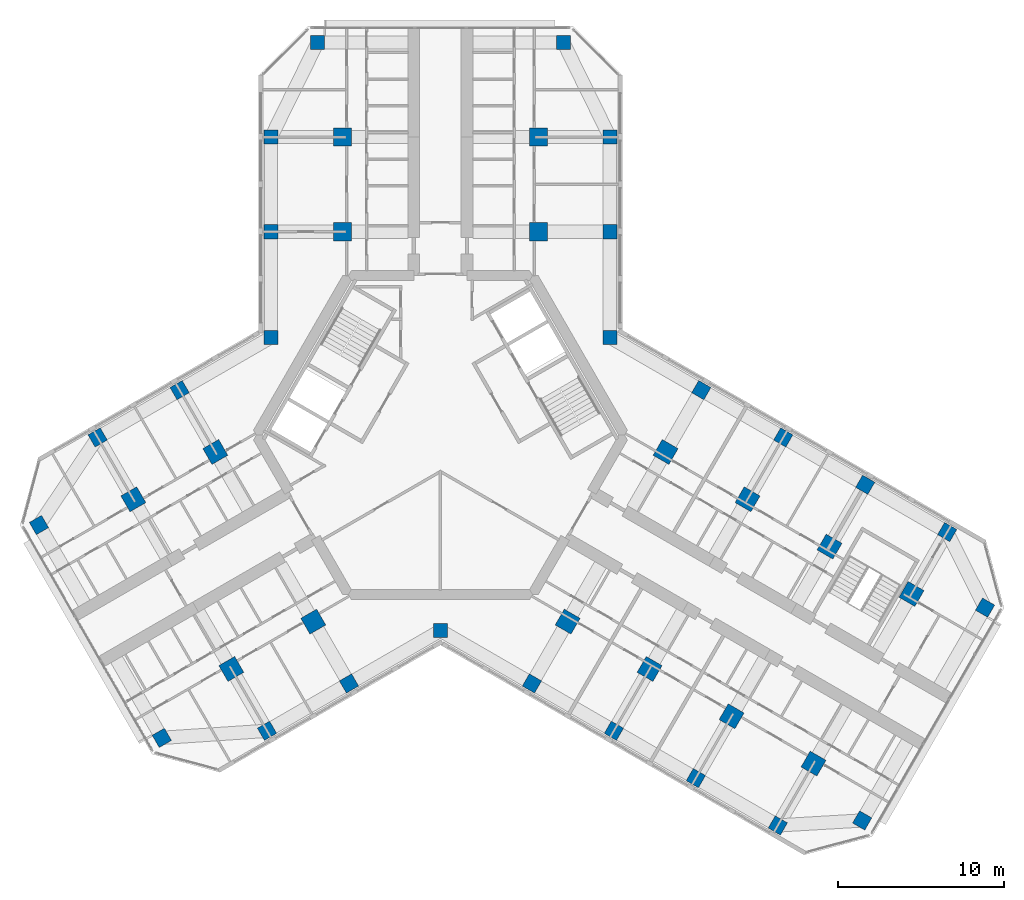
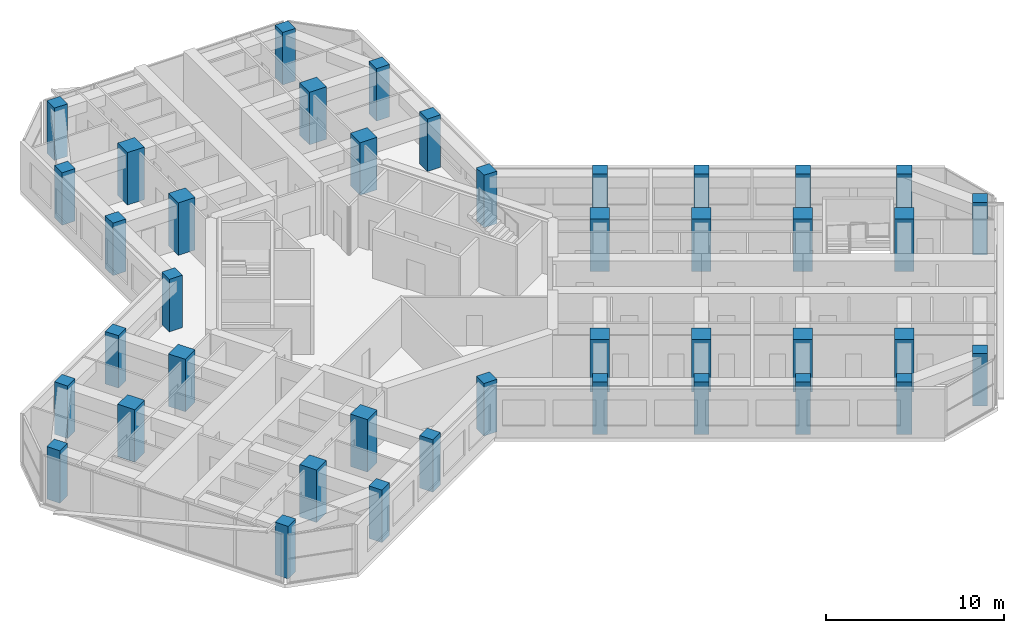
# One storey, part 1 of 16: 41 columns.
"""IFC4 building model written with IfcOpenShell, lengths in metres."""

from ifc_helpers import new_model, si_unit, direction, frame, origin, origin_2d, place, context, subcontext, project, spatial, rectangle, extrude, material, material_profile, profile_set, type_object, element, save


model = new_model("IFC4")

# Units and contexts
model_context = context("Model", 3, precision=1e-05, world=origin(), true_north=direction((0.0, 1.0)))
body_context = subcontext(model_context, "Body", "Model", "MODEL_VIEW")
ifc_project = project(units=[si_unit("LENGTHUNIT", "METRE"), si_unit("AREAUNIT", "SQUARE_METRE"), si_unit("VOLUMEUNIT", "CUBIC_METRE"), si_unit("PLANEANGLEUNIT", "RADIAN"), si_unit("MASSUNIT", "GRAM", prefix="KILO")], contexts=[model_context])

# Site, building, storey
site_placement = place(None, origin())
site = spatial("IfcSite", under=ifc_project, at=site_placement, CompositionType="ELEMENT")
building_placement = place(site_placement, origin())
building = spatial("IfcBuilding", under=site, at=building_placement, Name="Kosmar Iwan School Tower", CompositionType="ELEMENT")
storey_placement = place(building_placement, frame((0.0, 0.0, 253.199951171875)))
storey = spatial("IfcBuildingStorey", under=building, at=storey_placement, Name="L64", CompositionType="ELEMENT", Elevation=253.199951171875)

# Columns
ifc_material_1 = material(Name="Concrete C50/60", Category="concrete")
ifc_material_profile_1 = material_profile(ifc_material_1, rectangle(XDim=0.85009765625, YDim=0.85009765625, at=origin_2d()), Name="RC 850x850 + HD 400x347")
ifc_profile_set_1 = profile_set([ifc_material_profile_1], Name="Concrete C50/60")
column_type_1 = type_object("IfcColumnType", Name="Composite column 850x850 HD 400x347", PredefinedType="COLUMN", material=ifc_profile_set_1)
for number, where, z_axis, x_axis, name in (
    (1, (-10.199951171875, 12.25, 0.0), (0.0, 0.0, 1.0), (0.0, 1.0, 0.0), "Column AL1 L64"),
    (2, (-10.199951171875, 17.949951171875, 0.0), (0.0, 0.0, 1.0), (0.0, 1.0, 0.0), "Column AL2 L64"),
    (3, (-7.39990234375, 23.64990234375, 0.0), (0.0, 0.0, 1.0), (0.0, 1.0, 0.0), "Column ALTIP L64"),
    (4, (10.199951171875, 12.25, 0.0), (0.0, 0.0, 1.0), (0.0, 1.0, 0.0), "Column AR1 L64"),
    (5, (10.199951171875, 17.949951171875, 0.0), (0.0, 0.0, 1.0), (0.0, 1.0, 0.0), "Column AR2 L64"),
    (6, (7.39990234375, 23.64990234375, 0.0), (0.0, 0.0, 1.0), (0.0, 1.0, 0.0), "Column ARTIP L64"),
    (7, (-5.5087890625, -14.95849609375, 0.0), (0.0, 0.0, 1.0), (-0.866025403784, -0.5, 0.0), "Column BL1 L64"),
    (8, (-10.445068359375, -17.808349609375, 0.0), (0.0, 0.0, 1.0), (-0.866025403784, -0.5, 0.0), "Column BL2 L64"),
    (9, (-16.781494140625, -18.233642578125, 0.0), (0.0, 0.0, 1.0), (-0.866025403784, -0.5, 0.0), "Column BLTIP L64"),
    (10, (-15.708740234375, 2.70849609375, 0.0), (0.0, 0.0, 1.0), (-0.866025403784, -0.5, 0.0), "Column BR1 L64"),
    (11, (-20.645263671875, -0.1416015625, 0.0), (0.0, 0.0, 1.0), (-0.866025403784, -0.5, 0.0), "Column BR2 L64"),
    (12, (-24.181396484375, -5.41650390625, 0.0), (0.0, 0.0, 1.0), (-0.866025403784, -0.5, 0.0), "Column BRTIP L64"),
    (13, (15.708740234375, 2.70849609375, 0.0), (0.0, 0.0, 1.0), (0.866025403784, -0.5, 0.0), "Column CL1 L64"),
    (14, (20.645263671875, -0.1416015625, 0.0), (0.0, 0.0, 1.0), (0.866025403784, -0.5, 0.0), "Column CL2 L64"),
    (15, (25.58154296875, -2.991455078125, 0.0), (0.0, 0.0, 1.0), (0.866025403784, -0.5, 0.0), "Column CL3 L64"),
    (16, (30.517822265625, -5.841552734375, 0.0), (0.0, 0.0, 1.0), (0.866025403784, -0.5, 0.0), "Column CL4 L64"),
    (17, (32.79833984375, -10.391357421875, 0.0), (0.0, 0.0, 1.0), (0.866025403784, -0.5, 0.0), "Column CLTIP L64"),
    (18, (5.5087890625, -14.95849609375, 0.0), (0.0, 0.0, 1.0), (0.866025403784, -0.5, 0.0), "Column CR1 L64"),
    (19, (10.445068359375, -17.808349609375, 0.0), (0.0, 0.0, 1.0), (0.866025403784, -0.5, 0.0), "Column CR2 L64"),
    (20, (15.381591796875, -20.658447265625, 0.0), (0.0, 0.0, 1.0), (0.866025403784, -0.5, 0.0), "Column CR3 L64"),
    (21, (20.31787109375, -23.508544921875, 0.0), (0.0, 0.0, 1.0), (0.866025403784, -0.5, 0.0), "Column CR4 L64"),
    (22, (25.3984375, -23.20849609375, 0.0), (0.0, 0.0, 1.0), (0.866025403784, -0.5, 0.0), "Column CRTIP L64"),
    (23, (-10.199951171875, 5.888916015625, 0.0), (0.0, 0.0, 1.0), (1.0, 0.0, 0.0), "Column RAB L64"),
    (24, (10.199951171875, 5.888916015625, 0.0), (0.0, 0.0, 1.0), (1.0, 0.0, 0.0), "Column RAC L64"),
    (25, (0.0, -11.77783203125, 0.0), (0.0, 0.0, 1.0), (1.0, 0.0, 0.0), "Column RBC L64"),
):
    element("IfcColumn", number, at=place(storey_placement, frame(where, z_axis=z_axis, x_axis=x_axis)), inside=storey, type_object=column_type_1, Name=name, PredefinedType="COLUMN", context=body_context, shape_type="SweptSolid", body=[
        extrude(rectangle(XDim=0.85009765625, YDim=0.85009765625, at=origin_2d()), origin(), (0.0, 0.0, 1.0), 3.60009765625),
    ])
ifc_material_2 = material(Name="Concrete C50/60", Category="concrete")
ifc_material_profile_2 = material_profile(ifc_material_2, rectangle(XDim=1.10009765625, YDim=1.10009765625, at=origin_2d()), Name="RC 1100x1100")
ifc_profile_set_2 = profile_set([ifc_material_profile_2], Name="Concrete C50/60")
column_type_2 = type_object("IfcColumnType", Name="RC interior column 1100x1100", PredefinedType="COLUMN", material=ifc_profile_set_2)
for number, where, z_axis, x_axis, name in (
    (26, (-5.89990234375, 12.25, 0.0), (0.0, 0.0, 1.0), (0.0, 1.0, 0.0), "Interior column ALI1 L64"),
    (27, (-5.89990234375, 17.949951171875, 0.0), (0.0, 0.0, 1.0), (0.0, 1.0, 0.0), "Interior column ALI2 L64"),
    (28, (5.89990234375, 12.25, 0.0), (0.0, 0.0, 1.0), (0.0, 1.0, 0.0), "Interior column ARI1 L64"),
    (29, (5.89990234375, 17.949951171875, 0.0), (0.0, 0.0, 1.0), (0.0, 1.0, 0.0), "Interior column ARI2 L64"),
    (30, (-7.65869140625, -11.234619140625, 0.0), (0.0, 0.0, 1.0), (-0.866025403784, -0.5, 0.0), "Interior column BLI1 L64"),
    (31, (-12.59521484375, -14.08447265625, 0.0), (0.0, 0.0, 1.0), (-0.866025403784, -0.5, 0.0), "Interior column BLI2 L64"),
    (32, (-13.558837890625, -1.015380859375, 0.0), (0.0, 0.0, 1.0), (-0.866025403784, -0.5, 0.0), "Interior column BRI1 L64"),
    (33, (-18.4951171875, -3.865478515625, 0.0), (0.0, 0.0, 1.0), (-0.866025403784, -0.5, 0.0), "Interior column BRI2 L64"),
    (34, (13.558837890625, -1.015380859375, 0.0), (0.0, 0.0, 1.0), (0.866025403784, -0.5, 0.0), "Interior column CLI1 L64"),
    (35, (18.4951171875, -3.865478515625, 0.0), (0.0, 0.0, 1.0), (0.866025403784, -0.5, 0.0), "Interior column CLI2 L64"),
    (36, (23.431396484375, -6.71533203125, 0.0), (0.0, 0.0, 1.0), (0.866025403784, -0.5, 0.0), "Interior column CLI3 L64"),
    (37, (28.367919921875, -9.5654296875, 0.0), (0.0, 0.0, 1.0), (0.866025403784, -0.5, 0.0), "Interior column CLI4 L64"),
    (38, (7.65869140625, -11.234619140625, 0.0), (0.0, 0.0, 1.0), (0.866025403784, -0.5, 0.0), "Interior column CRI1 L64"),
    (39, (12.59521484375, -14.08447265625, 0.0), (0.0, 0.0, 1.0), (0.866025403784, -0.5, 0.0), "Interior column CRI2 L64"),
    (40, (17.531494140625, -16.9345703125, 0.0), (0.0, 0.0, 1.0), (0.866025403784, -0.5, 0.0), "Interior column CRI3 L64"),
    (41, (22.4677734375, -19.78466796875, 0.0), (0.0, 0.0, 1.0), (0.866025403784, -0.5, 0.0), "Interior column CRI4 L64"),
):
    element("IfcColumn", number, at=place(storey_placement, frame(where, z_axis=z_axis, x_axis=x_axis)), inside=storey, type_object=column_type_2, Name=name, PredefinedType="COLUMN", context=body_context, shape_type="SweptSolid", body=[
        extrude(rectangle(XDim=1.10009765625, YDim=1.10009765625, at=origin_2d()), origin(), (0.0, 0.0, 1.0), 3.60009765625),
    ])

save(model, "model.ifc")
